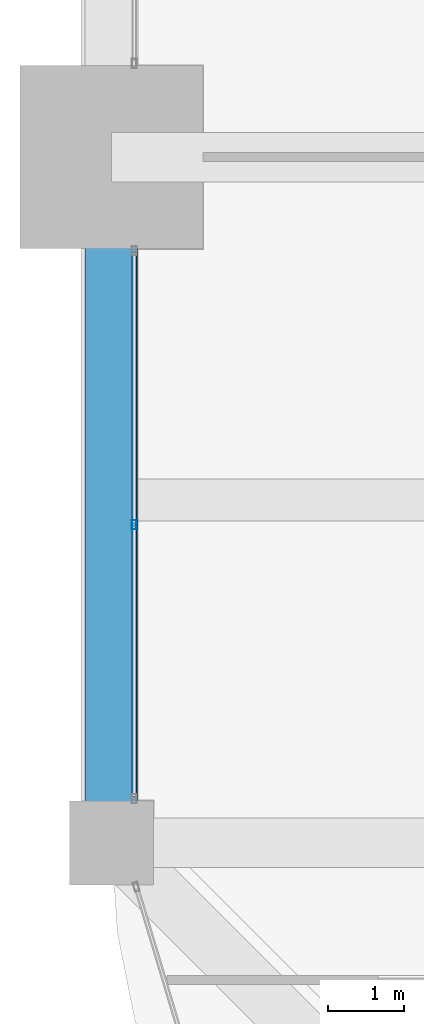
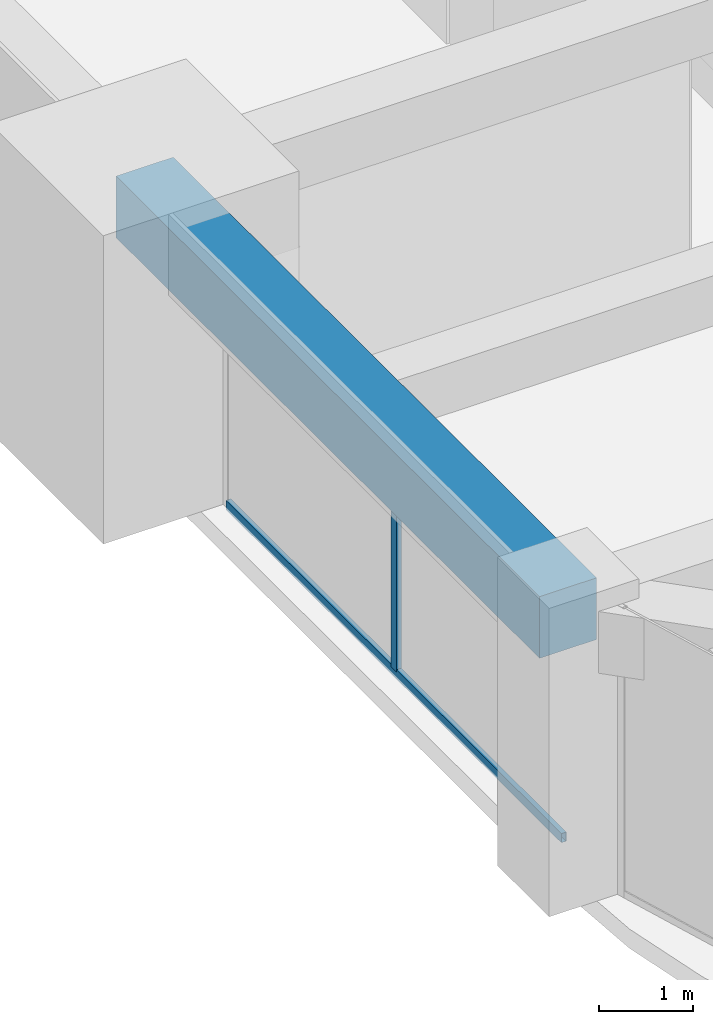
# One storey, part 7 of 45: 2 members, 1 beam, 1 element without a shape of its own.
"""IFC4 building model written with IfcOpenShell, lengths in metres."""

from ifc_helpers import new_model, si_unit, direction, frame, origin, origin_2d, place, context, subcontext, project, spatial, rectangle, hollow_rectangle, extrude, material, material_profile, profile_set, type_object, element, aggregate, save


model = new_model("IFC4")

# Units and contexts
model_context = context("Model", 3, precision=1e-05, world=origin(), true_north=direction((0.0, 1.0)))
body_context = subcontext(model_context, "Body", "Model", "MODEL_VIEW")
ifc_project = project(units=[si_unit("LENGTHUNIT", "METRE"), si_unit("AREAUNIT", "SQUARE_METRE"), si_unit("VOLUMEUNIT", "CUBIC_METRE"), si_unit("PLANEANGLEUNIT", "RADIAN"), si_unit("MASSUNIT", "GRAM", prefix="KILO")], contexts=[model_context])

# Site, building, storey
site_placement = place(None, origin())
site = spatial("IfcSite", under=ifc_project, at=site_placement, CompositionType="ELEMENT")
building_placement = place(site_placement, origin())
building = spatial("IfcBuilding", under=site, at=building_placement, Name="Zorevar Civic Tower", CompositionType="ELEMENT")
storey_placement = place(building_placement, frame((0.0, 0.0, 247.39990234375)))
storey = spatial("IfcBuildingStorey", under=building, at=storey_placement, Name="L60", CompositionType="ELEMENT", Elevation=247.39990234375)

# Curtain wall, members
ifc_material_1 = material(Name="Dark grey solar-control glass in black aluminium frame", Category="aluminium")
curtain_wall_type = type_object("IfcCurtainWallType", Name="Curtain wall CW5 top zone", PredefinedType="NOTDEFINED", material=ifc_material_1)
curtain_wall_placement = place(storey_placement, origin())
curtain_wall = element("IfcCurtainWall", 1, at=curtain_wall_placement, inside=storey, type_object=curtain_wall_type, Name="CW5 L60", PredefinedType="NOTDEFINED")
ifc_material_2 = material(Name="Aluminium, black anodised", Category="aluminium")
ifc_material_profile_1 = material_profile(ifc_material_2, hollow_rectangle(XDim=0.06005859375, YDim=0.1201171875, WallThickness=0.0029296875, at=origin_2d()), Name="AL 120x60x3")
ifc_profile_set_1 = profile_set([ifc_material_profile_1], Name="Aluminium, black anodised")
member_type_1 = type_object("IfcMemberType", Name="CW5 mullion AL 120x60x3", PredefinedType="MULLION", material=ifc_profile_set_1)
member_1_placement = place(storey_placement, frame((9.300048828125, 13.175048828125, 0.06005859375), z_axis=(0.0, 0.0, 1.0), x_axis=(-1.0, 0.0, 0.0)))
member_1 = element("IfcMember", 2, at=member_1_placement, type_object=member_type_1, Name="CW5 mullion 2", PredefinedType="MULLION", context=body_context, shape_type="SweptSolid", body=[
    extrude(hollow_rectangle(XDim=0.06005859375, YDim=0.1201171875, WallThickness=0.0029296875, at=origin_2d()), origin(), (0.0, 0.0, 1.0), 2.89013671875),
])
ifc_material_3 = material(Name="Aluminium, black anodised", Category="aluminium")
ifc_material_profile_2 = material_profile(ifc_material_3, hollow_rectangle(XDim=0.06005859375, YDim=0.1201171875, WallThickness=0.0029296875, at=origin_2d()), Name="AL 120x60x3")
ifc_profile_set_2 = profile_set([ifc_material_profile_2], Name="Aluminium, black anodised")
member_type_2 = type_object("IfcMemberType", Name="CW5 transom AL 120x60x3", PredefinedType="USERDEFINED", material=ifc_profile_set_2)
member_2_placement = place(storey_placement, frame((9.300048828125, 9.610107421875, 0.030029296875), z_axis=(0.0, 1.0, 0.0), x_axis=(-1.0, 0.0, 0.0)))
member_2 = element("IfcMember", 3, at=member_2_placement, type_object=member_type_2, Name="CW5 sill transom", ObjectType="TRANSOM", PredefinedType="USERDEFINED", context=body_context, shape_type="SweptSolid", body=[
    extrude(hollow_rectangle(XDim=0.06005859375, YDim=0.1201171875, WallThickness=0.0029296875, at=origin_2d()), origin(), (0.0, 0.0, 1.0), 7.1298828125),
])
aggregate(curtain_wall, [member_1, member_2])

# Beam
ifc_material_4 = material(Name="Concrete C50/60", Category="concrete")
ifc_material_profile_3 = material_profile(ifc_material_4, rectangle(XDim=0.699951171875, YDim=0.800048828125, at=origin_2d()), Name="RC 700x800")
ifc_profile_set_3 = profile_set([ifc_material_profile_3], Name="Concrete C50/60")
beam_type = type_object("IfcBeamType", Name="Edge beam RC 700x800", PredefinedType="SPANDREL", material=ifc_profile_set_3)
beam_placement = place(storey_placement, frame((9.0, 9.0, 3.35009765625), z_axis=(0.0, 1.0, 0.0), x_axis=(-1.0, 0.0, 0.0)))
element("IfcBeam", 4, at=beam_placement, inside=storey, type_object=beam_type, Name="Edge beam L61", PredefinedType="SPANDREL", context=body_context, shape_type="SweptSolid", body=[
    extrude(rectangle(XDim=0.699951171875, YDim=0.800048828125, at=origin_2d()), origin(), (0.0, 0.0, 1.0), 9.0),
])

save(model, "model.ifc")
